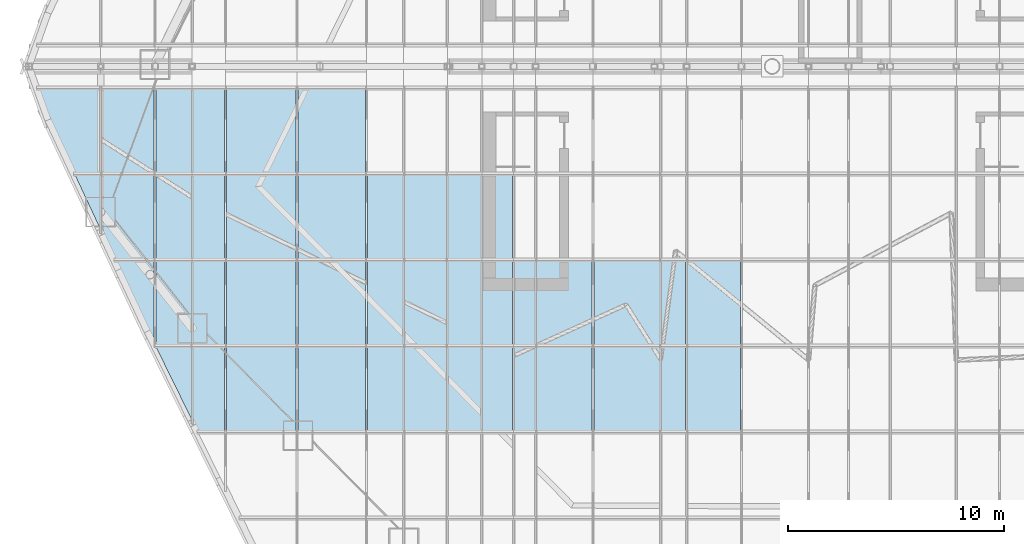
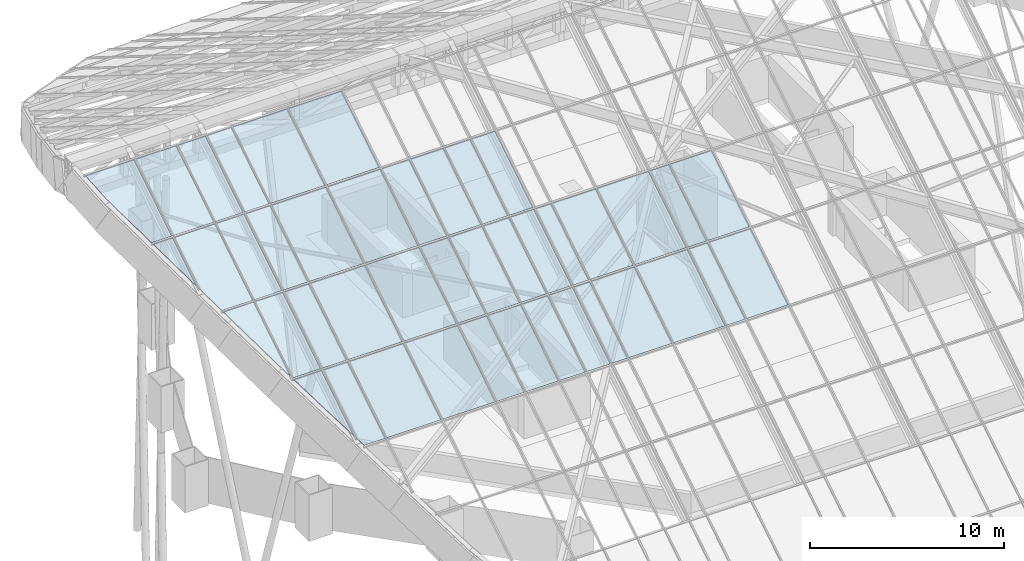
# One storey, part 27 of 38: 43 plates, 43 elements without a shape of their own.
"""IFC4 building model written with IfcOpenShell, lengths in metres."""

from ifc_helpers import new_model, si_unit, direction, frame, origin, place, context, subcontext, project, spatial, polyline, outline, extrude, material, layer, layer_set, type_object, element, aggregate, save


model = new_model("IFC4")

# Units and contexts
model_context = context("Model", 3, precision=1e-05, world=origin(), true_north=direction((0.0, 1.0)))
body_context = subcontext(model_context, "Body", "Model", "MODEL_VIEW")
ifc_project = project(units=[si_unit("LENGTHUNIT", "METRE"), si_unit("AREAUNIT", "SQUARE_METRE"), si_unit("VOLUMEUNIT", "CUBIC_METRE"), si_unit("PLANEANGLEUNIT", "RADIAN"), si_unit("MASSUNIT", "GRAM", prefix="KILO")], contexts=[model_context])

# Site, building, storey
site_placement = place(None, origin())
site = spatial("IfcSite", under=ifc_project, at=site_placement, CompositionType="ELEMENT")
building_placement = place(site_placement, origin())
building = spatial("IfcBuilding", under=site, at=building_placement, Name="Dongbaek Canopy Tower", CompositionType="ELEMENT")
storey_placement = place(building_placement, frame((0.0, 0.0, 375.800048828125)))
storey = spatial("IfcBuildingStorey", under=building, at=storey_placement, Name="Roof", CompositionType="ELEMENT", Elevation=375.800048828125)

# Curtain wall, plate
ifc_material_1 = material(Name="Aluminium 6063-T6 pale anodised", Category="aluminium")
ifc_layer_1 = layer(ifc_material_1, 0.199951171875)
ifc_layer_set_1 = layer_set([ifc_layer_1], Name="CW-6 canopy glazing curtain wall")
curtain_wall_type = type_object("IfcCurtainWallType", Name="CW-6 canopy glazing curtain wall", PredefinedType="NOTDEFINED", material=ifc_layer_set_1)
curtain_wall_1_placement = place(storey_placement, origin())
curtain_wall_1 = element("IfcCurtainWall", 1, at=curtain_wall_1_placement, inside=storey, type_object=curtain_wall_type, Name="CW-6 canopy glazing south 1.1", PredefinedType="NOTDEFINED")
ifc_material_2 = material(Name="Clear laminated glass", Category="glass")
ifc_layer_2 = layer(ifc_material_2, 0.0400390625)
ifc_layer_set_2 = layer_set([ifc_layer_2], Name="CW-6 glazed panel 40")
plate_type = type_object("IfcPlateType", Name="CW-6 glazed panel 40", PredefinedType="CURTAIN_PANEL", material=ifc_layer_set_2)
plate_1_placement = place(storey_placement, frame((-34.04638671875, -1.04296875, 18.095458984375), z_axis=(2.9550135e-05, -0.529899096889, 0.848060697263), x_axis=(0.999999999563, 1.565859e-05, -2.5060308e-05)))
plate_1 = element("IfcPlate", 2, at=plate_1_placement, type_object=plate_type, Name="CW-6 panel S1.1", PredefinedType="CURTAIN_PANEL", context=body_context, shape_type="SweptSolid", body=[
    extrude(outline(polyline([(0.0, 0.0), (2.87426757687008, 0.0), (2.8742675783404246, -4.598931257850206), (1.6838378913601726, -4.598931257850206), (0.4584960904008457, -1.5127484623807252), (0.0, 0.0)])), origin(), (0.0, 0.0, -1.0), 0.0400390625),
])
aggregate(curtain_wall_1, [plate_1])

curtain_wall_2_placement = place(storey_placement, origin())
curtain_wall_2 = element("IfcCurtainWall", 3, at=curtain_wall_2_placement, inside=storey, type_object=curtain_wall_type, Name="CW-6 canopy glazing south 1.2", PredefinedType="NOTDEFINED")
plate_2_placement = place(storey_placement, frame((-31.172119140625, -7.486328125, 14.0693359375), z_axis=(0.0, -0.529877740036, 0.848074041941), x_axis=(-0.368975254296, 0.788233275151, 0.492489152837)))
plate_2 = element("IfcPlate", 4, at=plate_2_placement, type_object=plate_type, Name="CW-6 panel S1.2", PredefinedType="CURTAIN_PANEL", context=body_context, shape_type="SweptSolid", body=[
    extrude(outline(polyline([(0.0, 0.0), (3.117137181920423, 1.1102230246251565e-16), (2.6927615903703614, -1.0689912501123229), (0.0, 0.0)])), origin(), (0.0, 0.0, -1.0), 0.0400390625),
])
aggregate(curtain_wall_2, [plate_2])

curtain_wall_3_placement = place(storey_placement, origin())
curtain_wall_3 = element("IfcCurtainWall", 5, at=curtain_wall_3_placement, inside=storey, type_object=curtain_wall_type, Name="CW-6 canopy glazing south 2.1", PredefinedType="NOTDEFINED")
plate_3_placement = place(storey_placement, frame((-31.0859375, -1.04296875, 18.095458984375), z_axis=(0.0, -0.52990827259, 0.848054964398), x_axis=(1.0, 0.0, 0.0)))
plate_3 = element("IfcPlate", 6, at=plate_3_placement, type_object=plate_type, Name="CW-6 panel S2.1", PredefinedType="CURTAIN_PANEL", context=body_context, shape_type="SweptSolid", body=[
    extrude(outline(polyline([(0.0, 0.0), (2.426025390625, 0.0), (2.426025390625, -4.59893125811938), (0.0, -4.59893125811938), (0.0, 0.0)])), origin(), (0.0, 0.0, -1.0), 0.0400390625),
])
aggregate(curtain_wall_3, [plate_3])

curtain_wall_4_placement = place(storey_placement, origin())
curtain_wall_4 = element("IfcCurtainWall", 7, at=curtain_wall_4_placement, inside=storey, type_object=curtain_wall_type, Name="CW-6 canopy glazing south 2.2", PredefinedType="NOTDEFINED")
plate_4_placement = place(storey_placement, frame((-31.0859375, -7.669921875, 13.95458984375), z_axis=(1.7409958e-05, -0.529906379633, 0.848056147033), x_axis=(4.15e-10, 0.848056147162, 0.529906379713)))
plate_4 = element("IfcPlate", 8, at=plate_4_placement, type_object=plate_type, Name="CW-6 panel S2.2", PredefinedType="CURTAIN_PANEL", context=body_context, shape_type="SweptSolid", body=[
    extrude(outline(polyline([(0.0, 0.0), (3.113692041456533, 3.3881317890172014e-21), (3.113692042463174, -2.426025390257328), (-1.48523921564475, -2.426025392344293), (-1.4852392164067458, -0.5895996113726096), (0.0, 0.0)])), origin(), (0.0, 0.0, -1.0), 0.0400390625),
])
aggregate(curtain_wall_4, [plate_4])

curtain_wall_5_placement = place(storey_placement, origin())
curtain_wall_5 = element("IfcCurtainWall", 9, at=curtain_wall_5_placement, inside=storey, type_object=curtain_wall_type, Name="CW-6 canopy glazing south 2.3", PredefinedType="NOTDEFINED")
plate_5_placement = place(storey_placement, frame((-30.3330078125, -9.2783203125, 12.949462890625), z_axis=(1.0459358e-05, -0.529917031975, 0.848049490957), x_axis=(-0.368869742799, 0.788243928152, 0.492551137019)))
plate_5 = element("IfcPlate", 10, at=plate_5_placement, type_object=plate_type, Name="CW-6 panel S2.3", PredefinedType="CURTAIN_PANEL", context=body_context, shape_type="SweptSolid", body=[
    extrude(outline(polyline([(0.0, 0.0), (0.33357811919050784, 2.7755575615628914e-17), (-0.3289645316323332, -1.6694805768385665), (-4.494716224599852, -0.016278852143255085), (-3.6208346247025074, -0.0011335194230892576), (0.0, 0.0)])), origin(), (0.0, 0.0, -1.0), 0.0400390625),
])
aggregate(curtain_wall_5, [plate_5])

curtain_wall_6_placement = place(storey_placement, origin())
curtain_wall_6 = element("IfcCurtainWall", 11, at=curtain_wall_6_placement, inside=storey, type_object=curtain_wall_type, Name="CW-6 canopy glazing south 3.1", PredefinedType="NOTDEFINED")
plate_6_placement = place(storey_placement, frame((-28.573974609375, -1.04296875, 18.095458984375), z_axis=(0.0, -0.52990827259, 0.848054964398), x_axis=(1.0, 0.0, 0.0)))
plate_6 = element("IfcPlate", 12, at=plate_6_placement, type_object=plate_type, Name="CW-6 panel S3.1", PredefinedType="CURTAIN_PANEL", context=body_context, shape_type="SweptSolid", body=[
    extrude(outline(polyline([(0.0, 0.0), (1.64208984375, 0.0), (1.64208984375, -4.59893125811938), (0.0, -4.59893125811938), (0.0, 0.0)])), origin(), (0.0, 0.0, -1.0), 0.0400390625),
])
aggregate(curtain_wall_6, [plate_6])

curtain_wall_7_placement = place(storey_placement, origin())
curtain_wall_7 = element("IfcCurtainWall", 13, at=curtain_wall_7_placement, inside=storey, type_object=curtain_wall_type, Name="CW-6 canopy glazing south 3.2", PredefinedType="NOTDEFINED")
plate_7_placement = place(storey_placement, frame((-28.573974609375, -5.029296875, 15.6044921875), z_axis=(0.0, -0.52990827259, 0.848054964398), x_axis=(1.0, 0.0, 0.0)))
plate_7 = element("IfcPlate", 14, at=plate_7_placement, type_object=plate_type, Name="CW-6 panel S3.2", PredefinedType="CURTAIN_PANEL", context=body_context, shape_type="SweptSolid", body=[
    extrude(outline(polyline([(0.0, 0.0), (1.64208984375, 0.0), (1.64208984375, -4.59893125811938), (0.0, -4.59893125811938), (0.0, 0.0)])), origin(), (0.0, 0.0, -1.0), 0.0400390625),
])
aggregate(curtain_wall_7, [plate_7])

curtain_wall_8_placement = place(storey_placement, origin())
curtain_wall_8 = element("IfcCurtainWall", 15, at=curtain_wall_8_placement, inside=storey, type_object=curtain_wall_type, Name="CW-6 canopy glazing south 3.3", PredefinedType="NOTDEFINED")
plate_8_placement = place(storey_placement, frame((-28.573974609375, -9.015380859375, 13.11376953125), z_axis=(0.0, -0.529946450558, 0.848031107649), x_axis=(1.0, 0.0, 0.0)))
plate_8 = element("IfcPlate", 16, at=plate_8_placement, type_object=plate_type, Name="CW-6 panel S3.3", PredefinedType="CURTAIN_PANEL", context=body_context, shape_type="SweptSolid", body=[
    extrude(outline(polyline([(0.0, 0.0), (1.64208984375, 0.0), (1.64208984375, -4.599060634916705), (0.0, -4.599060634916705), (0.0, 0.0)])), origin(), (0.0, 0.0, -1.0), 0.0400390625),
])
aggregate(curtain_wall_8, [plate_8])

curtain_wall_9_placement = place(storey_placement, origin())
curtain_wall_9 = element("IfcCurtainWall", 17, at=curtain_wall_9_placement, inside=storey, type_object=curtain_wall_type, Name="CW-6 canopy glazing south 3.4", PredefinedType="NOTDEFINED")
plate_9_placement = place(storey_placement, frame((-28.56884765625, -13.001708984375, 10.622802734375), z_axis=(0.0, -0.529931816238, 0.848040252664), x_axis=(1.0, 0.0, 0.0)))
plate_9 = element("IfcPlate", 18, at=plate_9_placement, type_object=plate_type, Name="CW-6 panel S3.4", PredefinedType="CURTAIN_PANEL", context=body_context, shape_type="SweptSolid", body=[
    extrude(outline(polyline([(0.0, 0.0), (1.636962890625, 0.0), (1.636962890625, -3.9233378687475584), (0.0, 0.0)])), origin(), (0.0, 0.0, -1.0), 0.0400390625),
])
aggregate(curtain_wall_9, [plate_9])

curtain_wall_10_placement = place(storey_placement, origin())
curtain_wall_10 = element("IfcCurtainWall", 19, at=curtain_wall_10_placement, inside=storey, type_object=curtain_wall_type, Name="CW-6 canopy glazing south 4.1", PredefinedType="NOTDEFINED")
plate_10_placement = place(storey_placement, frame((-26.845947265625, -1.04296875, 18.095458984375), z_axis=(0.0, -0.52990827259, 0.848054964398), x_axis=(1.0, 0.0, 0.0)))
plate_10 = element("IfcPlate", 20, at=plate_10_placement, type_object=plate_type, Name="CW-6 panel S4.1", PredefinedType="CURTAIN_PANEL", context=body_context, shape_type="SweptSolid", body=[
    extrude(outline(polyline([(0.0, 0.0), (1.4560546875, 0.0), (1.4560546875, -4.59893125811938), (0.0, -4.59893125811938), (0.0, 0.0)])), origin(), (0.0, 0.0, -1.0), 0.0400390625),
])
aggregate(curtain_wall_10, [plate_10])

curtain_wall_11_placement = place(storey_placement, origin())
curtain_wall_11 = element("IfcCurtainWall", 21, at=curtain_wall_11_placement, inside=storey, type_object=curtain_wall_type, Name="CW-6 canopy glazing south 4.2", PredefinedType="NOTDEFINED")
plate_11_placement = place(storey_placement, frame((-26.845947265625, -5.029296875, 15.6044921875), z_axis=(0.0, -0.52990827259, 0.848054964398), x_axis=(1.0, 0.0, 0.0)))
plate_11 = element("IfcPlate", 22, at=plate_11_placement, type_object=plate_type, Name="CW-6 panel S4.2", PredefinedType="CURTAIN_PANEL", context=body_context, shape_type="SweptSolid", body=[
    extrude(outline(polyline([(0.0, 0.0), (1.4560546875, 0.0), (1.4560546875, -4.59893125811938), (0.0, -4.59893125811938), (0.0, 0.0)])), origin(), (0.0, 0.0, -1.0), 0.0400390625),
])
aggregate(curtain_wall_11, [plate_11])

curtain_wall_12_placement = place(storey_placement, origin())
curtain_wall_12 = element("IfcCurtainWall", 23, at=curtain_wall_12_placement, inside=storey, type_object=curtain_wall_type, Name="CW-6 canopy glazing south 4.3", PredefinedType="NOTDEFINED")
plate_12_placement = place(storey_placement, frame((-26.845947265625, -9.015380859375, 13.11376953125), z_axis=(0.0, -0.529946450558, 0.848031107649), x_axis=(1.0, 0.0, 0.0)))
plate_12 = element("IfcPlate", 24, at=plate_12_placement, type_object=plate_type, Name="CW-6 panel S4.3", PredefinedType="CURTAIN_PANEL", context=body_context, shape_type="SweptSolid", body=[
    extrude(outline(polyline([(0.0, 0.0), (1.4560546875, 0.0), (1.4560546875, -4.599060634916705), (0.0, -4.599060634916705), (0.0, 0.0)])), origin(), (0.0, 0.0, -1.0), 0.0400390625),
])
aggregate(curtain_wall_12, [plate_12])

curtain_wall_13_placement = place(storey_placement, origin())
curtain_wall_13 = element("IfcCurtainWall", 25, at=curtain_wall_13_placement, inside=storey, type_object=curtain_wall_type, Name="CW-6 canopy glazing south 4.4", PredefinedType="NOTDEFINED")
plate_13_placement = place(storey_placement, frame((-26.845947265625, -13.001708984375, 10.622802734375), z_axis=(-9.486976e-06, -0.529908615105, 0.848054750325), x_axis=(0.999999999955, -5.027231e-06, 8.045475e-06)))
plate_13 = element("IfcPlate", 26, at=plate_13_placement, type_object=plate_type, Name="CW-6 panel S4.4", PredefinedType="CURTAIN_PANEL", context=body_context, shape_type="SweptSolid", body=[
    extrude(outline(polyline([(0.0, 0.0), (1.4560546874344755, 0.0), (1.456054687452098, -4.598931258119005), (0.1958007812588113, -4.598931258119005), (-2.444751662328509e-10, -4.129411195458515), (0.0, 0.0)])), origin(), (0.0, 0.0, -1.0), 0.0400390625),
])
aggregate(curtain_wall_13, [plate_13])

curtain_wall_14_placement = place(storey_placement, origin())
curtain_wall_14 = element("IfcCurtainWall", 27, at=curtain_wall_14_placement, inside=storey, type_object=curtain_wall_type, Name="CW-6 canopy glazing south 5.1", PredefinedType="NOTDEFINED")
plate_14_placement = place(storey_placement, frame((-25.303955078125, -1.04296875, 18.095458984375), z_axis=(0.0, -0.52990827259, 0.848054964398), x_axis=(1.0, 0.0, 0.0)))
plate_14 = element("IfcPlate", 28, at=plate_14_placement, type_object=plate_type, Name="CW-6 panel S5.1", PredefinedType="CURTAIN_PANEL", context=body_context, shape_type="SweptSolid", body=[
    extrude(outline(polyline([(0.0, 0.0), (3.22998046875, 0.0), (3.22998046875, -4.59893125811938), (0.0, -4.59893125811938), (0.0, 0.0)])), origin(), (0.0, 0.0, -1.0), 0.0400390625),
])
aggregate(curtain_wall_14, [plate_14])

curtain_wall_15_placement = place(storey_placement, origin())
curtain_wall_15 = element("IfcCurtainWall", 29, at=curtain_wall_15_placement, inside=storey, type_object=curtain_wall_type, Name="CW-6 canopy glazing south 5.2", PredefinedType="NOTDEFINED")
plate_15_placement = place(storey_placement, frame((-25.303955078125, -5.029296875, 15.6044921875), z_axis=(0.0, -0.52990827259, 0.848054964398), x_axis=(1.0, 0.0, 0.0)))
plate_15 = element("IfcPlate", 30, at=plate_15_placement, type_object=plate_type, Name="CW-6 panel S5.2", PredefinedType="CURTAIN_PANEL", context=body_context, shape_type="SweptSolid", body=[
    extrude(outline(polyline([(0.0, 0.0), (3.22998046875, 0.0), (3.22998046875, -4.59893125811938), (0.0, -4.59893125811938), (0.0, 0.0)])), origin(), (0.0, 0.0, -1.0), 0.0400390625),
])
aggregate(curtain_wall_15, [plate_15])

curtain_wall_16_placement = place(storey_placement, origin())
curtain_wall_16 = element("IfcCurtainWall", 31, at=curtain_wall_16_placement, inside=storey, type_object=curtain_wall_type, Name="CW-6 canopy glazing south 5.3", PredefinedType="NOTDEFINED")
plate_16_placement = place(storey_placement, frame((-25.303955078125, -9.015380859375, 13.11376953125), z_axis=(0.0, -0.529946450558, 0.848031107649), x_axis=(1.0, 0.0, 0.0)))
plate_16 = element("IfcPlate", 32, at=plate_16_placement, type_object=plate_type, Name="CW-6 panel S5.3", PredefinedType="CURTAIN_PANEL", context=body_context, shape_type="SweptSolid", body=[
    extrude(outline(polyline([(0.0, 0.0), (3.22998046875, 0.0), (3.22998046875, -4.599060634916705), (0.0, -4.599060634916705), (0.0, 0.0)])), origin(), (0.0, 0.0, -1.0), 0.0400390625),
])
aggregate(curtain_wall_16, [plate_16])

curtain_wall_17_placement = place(storey_placement, origin())
curtain_wall_17 = element("IfcCurtainWall", 33, at=curtain_wall_17_placement, inside=storey, type_object=curtain_wall_type, Name="CW-6 canopy glazing south 5.4", PredefinedType="NOTDEFINED")
plate_17_placement = place(storey_placement, frame((-25.303955078125, -13.001708984375, 10.622802734375), z_axis=(0.0, -0.52990827259, 0.848054964398), x_axis=(1.0, 0.0, 0.0)))
plate_17 = element("IfcPlate", 34, at=plate_17_placement, type_object=plate_type, Name="CW-6 panel S5.4", PredefinedType="CURTAIN_PANEL", context=body_context, shape_type="SweptSolid", body=[
    extrude(outline(polyline([(0.0, 0.0), (3.22998046875, 0.0), (3.22998046875, -4.59893125811938), (0.0, -4.59893125811938), (0.0, 0.0)])), origin(), (0.0, 0.0, -1.0), 0.0400390625),
])
aggregate(curtain_wall_17, [plate_17])

curtain_wall_18_placement = place(storey_placement, origin())
curtain_wall_18 = element("IfcCurtainWall", 35, at=curtain_wall_18_placement, inside=storey, type_object=curtain_wall_type, Name="CW-6 canopy glazing south 6.1", PredefinedType="NOTDEFINED")
plate_18_placement = place(storey_placement, frame((-21.988037109375, -1.04296875, 18.095458984375), z_axis=(0.0, -0.52990827259, 0.848054964398), x_axis=(1.0, 0.0, 0.0)))
plate_18 = element("IfcPlate", 36, at=plate_18_placement, type_object=plate_type, Name="CW-6 panel S6.1", PredefinedType="CURTAIN_PANEL", context=body_context, shape_type="SweptSolid", body=[
    extrude(outline(polyline([(0.0, 0.0), (3.138916015625, 0.0), (3.138916015625, -4.59893125811938), (0.0, -4.59893125811938), (0.0, 0.0)])), origin(), (0.0, 0.0, -1.0), 0.0400390625),
])
aggregate(curtain_wall_18, [plate_18])

curtain_wall_19_placement = place(storey_placement, origin())
curtain_wall_19 = element("IfcCurtainWall", 37, at=curtain_wall_19_placement, inside=storey, type_object=curtain_wall_type, Name="CW-6 canopy glazing south 6.2", PredefinedType="NOTDEFINED")
plate_19_placement = place(storey_placement, frame((-21.988037109375, -5.029296875, 15.6044921875), z_axis=(0.0, -0.52990827259, 0.848054964398), x_axis=(1.0, 0.0, 0.0)))
plate_19 = element("IfcPlate", 38, at=plate_19_placement, type_object=plate_type, Name="CW-6 panel S6.2", PredefinedType="CURTAIN_PANEL", context=body_context, shape_type="SweptSolid", body=[
    extrude(outline(polyline([(0.0, 0.0), (3.138916015625, 0.0), (3.138916015625, -4.59893125811938), (0.0, -4.59893125811938), (0.0, 0.0)])), origin(), (0.0, 0.0, -1.0), 0.0400390625),
])
aggregate(curtain_wall_19, [plate_19])

curtain_wall_20_placement = place(storey_placement, origin())
curtain_wall_20 = element("IfcCurtainWall", 39, at=curtain_wall_20_placement, inside=storey, type_object=curtain_wall_type, Name="CW-6 canopy glazing south 6.3", PredefinedType="NOTDEFINED")
plate_20_placement = place(storey_placement, frame((-21.988037109375, -9.015380859375, 13.11376953125), z_axis=(0.0, -0.529946450558, 0.848031107649), x_axis=(1.0, 0.0, 0.0)))
plate_20 = element("IfcPlate", 40, at=plate_20_placement, type_object=plate_type, Name="CW-6 panel S6.3", PredefinedType="CURTAIN_PANEL", context=body_context, shape_type="SweptSolid", body=[
    extrude(outline(polyline([(0.0, 0.0), (3.138916015625, 0.0), (3.138916015625, -4.599060634916705), (0.0, -4.599060634916705), (0.0, 0.0)])), origin(), (0.0, 0.0, -1.0), 0.0400390625),
])
aggregate(curtain_wall_20, [plate_20])

curtain_wall_21_placement = place(storey_placement, origin())
curtain_wall_21 = element("IfcCurtainWall", 41, at=curtain_wall_21_placement, inside=storey, type_object=curtain_wall_type, Name="CW-6 canopy glazing south 6.4", PredefinedType="NOTDEFINED")
plate_21_placement = place(storey_placement, frame((-21.988037109375, -13.001708984375, 10.622802734375), z_axis=(0.0, -0.52990827259, 0.848054964398), x_axis=(1.0, 0.0, 0.0)))
plate_21 = element("IfcPlate", 42, at=plate_21_placement, type_object=plate_type, Name="CW-6 panel S6.4", PredefinedType="CURTAIN_PANEL", context=body_context, shape_type="SweptSolid", body=[
    extrude(outline(polyline([(0.0, 0.0), (3.138916015625, 0.0), (3.138916015625, -4.59893125811938), (0.0, -4.59893125811938), (0.0, 0.0)])), origin(), (0.0, 0.0, -1.0), 0.0400390625),
])
aggregate(curtain_wall_21, [plate_21])

curtain_wall_22_placement = place(storey_placement, origin())
curtain_wall_22 = element("IfcCurtainWall", 43, at=curtain_wall_22_placement, inside=storey, type_object=curtain_wall_type, Name="CW-6 canopy glazing south 7.2", PredefinedType="NOTDEFINED")
plate_22_placement = place(storey_placement, frame((-18.762939453125, -5.029296875, 15.6044921875), z_axis=(0.0, -0.52990827259, 0.848054964398), x_axis=(1.0, 0.0, 0.0)))
plate_22 = element("IfcPlate", 44, at=plate_22_placement, type_object=plate_type, Name="CW-6 panel S7.2", PredefinedType="CURTAIN_PANEL", context=body_context, shape_type="SweptSolid", body=[
    extrude(outline(polyline([(0.0, 0.0), (1.635986328125, 0.0), (1.635986328125, -4.59893125811938), (0.0, -4.59893125811938), (0.0, 0.0)])), origin(), (0.0, 0.0, -1.0), 0.0400390625),
])
aggregate(curtain_wall_22, [plate_22])

curtain_wall_23_placement = place(storey_placement, origin())
curtain_wall_23 = element("IfcCurtainWall", 45, at=curtain_wall_23_placement, inside=storey, type_object=curtain_wall_type, Name="CW-6 canopy glazing south 7.3", PredefinedType="NOTDEFINED")
plate_23_placement = place(storey_placement, frame((-18.762939453125, -9.015380859375, 13.11376953125), z_axis=(0.0, -0.529946450558, 0.848031107649), x_axis=(1.0, 0.0, 0.0)))
plate_23 = element("IfcPlate", 46, at=plate_23_placement, type_object=plate_type, Name="CW-6 panel S7.3", PredefinedType="CURTAIN_PANEL", context=body_context, shape_type="SweptSolid", body=[
    extrude(outline(polyline([(0.0, 0.0), (1.635986328125, 0.0), (1.635986328125, -4.599060634916705), (0.0, -4.599060634916705), (0.0, 0.0)])), origin(), (0.0, 0.0, -1.0), 0.0400390625),
])
aggregate(curtain_wall_23, [plate_23])

curtain_wall_24_placement = place(storey_placement, origin())
curtain_wall_24 = element("IfcCurtainWall", 47, at=curtain_wall_24_placement, inside=storey, type_object=curtain_wall_type, Name="CW-6 canopy glazing south 7.4", PredefinedType="NOTDEFINED")
plate_24_placement = place(storey_placement, frame((-18.762939453125, -13.001708984375, 10.622802734375), z_axis=(0.0, -0.52990827259, 0.848054964398), x_axis=(1.0, 0.0, 0.0)))
plate_24 = element("IfcPlate", 48, at=plate_24_placement, type_object=plate_type, Name="CW-6 panel S7.4", PredefinedType="CURTAIN_PANEL", context=body_context, shape_type="SweptSolid", body=[
    extrude(outline(polyline([(0.0, 0.0), (1.635986328125, 0.0), (1.635986328125, -4.59893125811938), (0.0, -4.59893125811938), (0.0, 0.0)])), origin(), (0.0, 0.0, -1.0), 0.0400390625),
])
aggregate(curtain_wall_24, [plate_24])

curtain_wall_25_placement = place(storey_placement, origin())
curtain_wall_25 = element("IfcCurtainWall", 49, at=curtain_wall_25_placement, inside=storey, type_object=curtain_wall_type, Name="CW-6 canopy glazing south 8.2", PredefinedType="NOTDEFINED")
plate_25_placement = place(storey_placement, frame((-17.041015625, -5.029296875, 15.6044921875), z_axis=(0.0, -0.52990827259, 0.848054964398), x_axis=(1.0, 0.0, 0.0)))
plate_25 = element("IfcPlate", 50, at=plate_25_placement, type_object=plate_type, Name="CW-6 panel S8.2", PredefinedType="CURTAIN_PANEL", context=body_context, shape_type="SweptSolid", body=[
    extrude(outline(polyline([(0.0, 0.0), (1.93603515625, 0.0), (1.93603515625, -4.59893125811938), (0.0, -4.59893125811938), (0.0, 0.0)])), origin(), (0.0, 0.0, -1.0), 0.0400390625),
])
aggregate(curtain_wall_25, [plate_25])

curtain_wall_26_placement = place(storey_placement, origin())
curtain_wall_26 = element("IfcCurtainWall", 51, at=curtain_wall_26_placement, inside=storey, type_object=curtain_wall_type, Name="CW-6 canopy glazing south 8.3", PredefinedType="NOTDEFINED")
plate_26_placement = place(storey_placement, frame((-17.041015625, -9.015380859375, 13.11376953125), z_axis=(0.0, -0.529946450558, 0.848031107649), x_axis=(1.0, 0.0, 0.0)))
plate_26 = element("IfcPlate", 52, at=plate_26_placement, type_object=plate_type, Name="CW-6 panel S8.3", PredefinedType="CURTAIN_PANEL", context=body_context, shape_type="SweptSolid", body=[
    extrude(outline(polyline([(0.0, 0.0), (1.93603515625, 0.0), (1.93603515625, -4.599060634916705), (0.0, -4.599060634916705), (0.0, 0.0)])), origin(), (0.0, 0.0, -1.0), 0.0400390625),
])
aggregate(curtain_wall_26, [plate_26])

curtain_wall_27_placement = place(storey_placement, origin())
curtain_wall_27 = element("IfcCurtainWall", 53, at=curtain_wall_27_placement, inside=storey, type_object=curtain_wall_type, Name="CW-6 canopy glazing south 8.4", PredefinedType="NOTDEFINED")
plate_27_placement = place(storey_placement, frame((-17.041015625, -13.001708984375, 10.622802734375), z_axis=(0.0, -0.52990827259, 0.848054964398), x_axis=(1.0, 0.0, 0.0)))
plate_27 = element("IfcPlate", 54, at=plate_27_placement, type_object=plate_type, Name="CW-6 panel S8.4", PredefinedType="CURTAIN_PANEL", context=body_context, shape_type="SweptSolid", body=[
    extrude(outline(polyline([(0.0, 0.0), (1.93603515625, 0.0), (1.93603515625, -4.59893125811938), (0.0, -4.59893125811938), (0.0, 0.0)])), origin(), (0.0, 0.0, -1.0), 0.0400390625),
])
aggregate(curtain_wall_27, [plate_27])

curtain_wall_28_placement = place(storey_placement, origin())
curtain_wall_28 = element("IfcCurtainWall", 55, at=curtain_wall_28_placement, inside=storey, type_object=curtain_wall_type, Name="CW-6 canopy glazing south 9.2", PredefinedType="NOTDEFINED")
plate_28_placement = place(storey_placement, frame((-15.01904296875, -5.029296875, 15.6044921875), z_axis=(0.0, -0.52990827259, 0.848054964398), x_axis=(1.0, 0.0, 0.0)))
plate_28 = element("IfcPlate", 56, at=plate_28_placement, type_object=plate_type, Name="CW-6 panel S9.2", PredefinedType="CURTAIN_PANEL", context=body_context, shape_type="SweptSolid", body=[
    extrude(outline(polyline([(0.0, 0.0), (1.51123046875, 0.0), (1.51123046875, -4.59893125811938), (0.0, -4.59893125811938), (0.0, 0.0)])), origin(), (0.0, 0.0, -1.0), 0.0400390625),
])
aggregate(curtain_wall_28, [plate_28])

curtain_wall_29_placement = place(storey_placement, origin())
curtain_wall_29 = element("IfcCurtainWall", 57, at=curtain_wall_29_placement, inside=storey, type_object=curtain_wall_type, Name="CW-6 canopy glazing south 9.3", PredefinedType="NOTDEFINED")
plate_29_placement = place(storey_placement, frame((-15.01904296875, -9.015380859375, 13.11376953125), z_axis=(0.0, -0.529946450558, 0.848031107649), x_axis=(1.0, 0.0, 0.0)))
plate_29 = element("IfcPlate", 58, at=plate_29_placement, type_object=plate_type, Name="CW-6 panel S9.3", PredefinedType="CURTAIN_PANEL", context=body_context, shape_type="SweptSolid", body=[
    extrude(outline(polyline([(0.0, 0.0), (1.51123046875, 0.0), (1.51123046875, -4.599060634916705), (0.0, -4.599060634916705), (0.0, 0.0)])), origin(), (0.0, 0.0, -1.0), 0.0400390625),
])
aggregate(curtain_wall_29, [plate_29])

curtain_wall_30_placement = place(storey_placement, origin())
curtain_wall_30 = element("IfcCurtainWall", 59, at=curtain_wall_30_placement, inside=storey, type_object=curtain_wall_type, Name="CW-6 canopy glazing south 9.4", PredefinedType="NOTDEFINED")
plate_30_placement = place(storey_placement, frame((-15.01904296875, -13.001708984375, 10.622802734375), z_axis=(0.0, -0.52990827259, 0.848054964398), x_axis=(1.0, 0.0, 0.0)))
plate_30 = element("IfcPlate", 60, at=plate_30_placement, type_object=plate_type, Name="CW-6 panel S9.4", PredefinedType="CURTAIN_PANEL", context=body_context, shape_type="SweptSolid", body=[
    extrude(outline(polyline([(0.0, 0.0), (1.51123046875, 0.0), (1.51123046875, -4.59893125811938), (0.0, -4.59893125811938), (0.0, 0.0)])), origin(), (0.0, 0.0, -1.0), 0.0400390625),
])
aggregate(curtain_wall_30, [plate_30])

curtain_wall_31_placement = place(storey_placement, origin())
curtain_wall_31 = element("IfcCurtainWall", 61, at=curtain_wall_31_placement, inside=storey, type_object=curtain_wall_type, Name="CW-6 canopy glazing south 10.2", PredefinedType="NOTDEFINED")
plate_31_placement = place(storey_placement, frame((-13.421630859375, -5.029296875, 15.6044921875), z_axis=(0.0, -0.52990827259, 0.848054964398), x_axis=(1.0, 0.0, 0.0)))
plate_31 = element("IfcPlate", 62, at=plate_31_placement, type_object=plate_type, Name="CW-6 panel S10.2", PredefinedType="CURTAIN_PANEL", context=body_context, shape_type="SweptSolid", body=[
    extrude(outline(polyline([(0.0, 0.0), (1.3935546875, 0.0), (1.3935546875, -4.59893125811938), (0.0, -4.59893125811938), (0.0, 0.0)])), origin(), (0.0, 0.0, -1.0), 0.0400390625),
])
aggregate(curtain_wall_31, [plate_31])

curtain_wall_32_placement = place(storey_placement, origin())
curtain_wall_32 = element("IfcCurtainWall", 63, at=curtain_wall_32_placement, inside=storey, type_object=curtain_wall_type, Name="CW-6 canopy glazing south 10.3", PredefinedType="NOTDEFINED")
plate_32_placement = place(storey_placement, frame((-13.421630859375, -9.015380859375, 13.11376953125), z_axis=(0.0, -0.529946450558, 0.848031107649), x_axis=(1.0, 0.0, 0.0)))
plate_32 = element("IfcPlate", 64, at=plate_32_placement, type_object=plate_type, Name="CW-6 panel S10.3", PredefinedType="CURTAIN_PANEL", context=body_context, shape_type="SweptSolid", body=[
    extrude(outline(polyline([(0.0, 0.0), (1.3935546875, 0.0), (1.3935546875, -4.599060634916705), (0.0, -4.599060634916705), (0.0, 0.0)])), origin(), (0.0, 0.0, -1.0), 0.0400390625),
])
aggregate(curtain_wall_32, [plate_32])

curtain_wall_33_placement = place(storey_placement, origin())
curtain_wall_33 = element("IfcCurtainWall", 65, at=curtain_wall_33_placement, inside=storey, type_object=curtain_wall_type, Name="CW-6 canopy glazing south 10.4", PredefinedType="NOTDEFINED")
plate_33_placement = place(storey_placement, frame((-13.421630859375, -13.001708984375, 10.622802734375), z_axis=(0.0, -0.52990827259, 0.848054964398), x_axis=(1.0, 0.0, 0.0)))
plate_33 = element("IfcPlate", 66, at=plate_33_placement, type_object=plate_type, Name="CW-6 panel S10.4", PredefinedType="CURTAIN_PANEL", context=body_context, shape_type="SweptSolid", body=[
    extrude(outline(polyline([(0.0, 0.0), (1.3935546875, 0.0), (1.3935546875, -4.59893125811938), (0.0, -4.59893125811938), (0.0, 0.0)])), origin(), (0.0, 0.0, -1.0), 0.0400390625),
])
aggregate(curtain_wall_33, [plate_33])

curtain_wall_34_placement = place(storey_placement, origin())
curtain_wall_34 = element("IfcCurtainWall", 67, at=curtain_wall_34_placement, inside=storey, type_object=curtain_wall_type, Name="CW-6 canopy glazing south 11.3", PredefinedType="NOTDEFINED")
plate_34_placement = place(storey_placement, frame((-11.94189453125, -9.015380859375, 13.11376953125), z_axis=(0.0, -0.529946450558, 0.848031107649), x_axis=(1.0, 0.0, 0.0)))
plate_34 = element("IfcPlate", 68, at=plate_34_placement, type_object=plate_type, Name="CW-6 panel S11.3", PredefinedType="CURTAIN_PANEL", context=body_context, shape_type="SweptSolid", body=[
    extrude(outline(polyline([(0.0, 0.0), (0.93408203125, 0.0), (0.93408203125, -4.599060634916705), (0.0, -4.599060634916705), (0.0, 0.0)])), origin(), (0.0, 0.0, -1.0), 0.0400390625),
])
aggregate(curtain_wall_34, [plate_34])

curtain_wall_35_placement = place(storey_placement, origin())
curtain_wall_35 = element("IfcCurtainWall", 69, at=curtain_wall_35_placement, inside=storey, type_object=curtain_wall_type, Name="CW-6 canopy glazing south 11.4", PredefinedType="NOTDEFINED")
plate_35_placement = place(storey_placement, frame((-11.94189453125, -13.001708984375, 10.622802734375), z_axis=(0.0, -0.52990827259, 0.848054964398), x_axis=(1.0, 0.0, 0.0)))
plate_35 = element("IfcPlate", 70, at=plate_35_placement, type_object=plate_type, Name="CW-6 panel S11.4", PredefinedType="CURTAIN_PANEL", context=body_context, shape_type="SweptSolid", body=[
    extrude(outline(polyline([(0.0, 0.0), (0.93408203125, 0.0), (0.93408203125, -4.5989312581193795), (0.0, -4.5989312581193795), (0.0, 0.0)])), origin(), (0.0, 0.0, -1.0), 0.0400390625),
])
aggregate(curtain_wall_35, [plate_35])

curtain_wall_36_placement = place(storey_placement, origin())
curtain_wall_36 = element("IfcCurtainWall", 71, at=curtain_wall_36_placement, inside=storey, type_object=curtain_wall_type, Name="CW-6 canopy glazing south 12.3", PredefinedType="NOTDEFINED")
plate_36_placement = place(storey_placement, frame((-10.921630859375, -9.015380859375, 13.11376953125), z_axis=(0.0, -0.529946450558, 0.848031107649), x_axis=(1.0, 0.0, 0.0)))
plate_36 = element("IfcPlate", 72, at=plate_36_placement, type_object=plate_type, Name="CW-6 panel S12.3", PredefinedType="CURTAIN_PANEL", context=body_context, shape_type="SweptSolid", body=[
    extrude(outline(polyline([(0.0, 0.0), (2.569580078125, 0.0), (2.569580078125, -4.599060634916705), (0.0, -4.599060634916705), (0.0, 0.0)])), origin(), (0.0, 0.0, -1.0), 0.0400390625),
])
aggregate(curtain_wall_36, [plate_36])

curtain_wall_37_placement = place(storey_placement, origin())
curtain_wall_37 = element("IfcCurtainWall", 73, at=curtain_wall_37_placement, inside=storey, type_object=curtain_wall_type, Name="CW-6 canopy glazing south 12.4", PredefinedType="NOTDEFINED")
plate_37_placement = place(storey_placement, frame((-10.921630859375, -13.001708984375, 10.622802734375), z_axis=(0.0, -0.52990827259, 0.848054964398), x_axis=(1.0, 0.0, 0.0)))
plate_37 = element("IfcPlate", 74, at=plate_37_placement, type_object=plate_type, Name="CW-6 panel S12.4", PredefinedType="CURTAIN_PANEL", context=body_context, shape_type="SweptSolid", body=[
    extrude(outline(polyline([(0.0, 0.0), (2.569580078125, 0.0), (2.569580078125, -4.5989312581193795), (0.0, -4.5989312581193795), (0.0, 0.0)])), origin(), (0.0, 0.0, -1.0), 0.0400390625),
])
aggregate(curtain_wall_37, [plate_37])

curtain_wall_38_placement = place(storey_placement, origin())
curtain_wall_38 = element("IfcCurtainWall", 75, at=curtain_wall_38_placement, inside=storey, type_object=curtain_wall_type, Name="CW-6 canopy glazing south 13.3", PredefinedType="NOTDEFINED")
plate_38_placement = place(storey_placement, frame((-5.208984375, -12.91552734375, 10.676513671875), z_axis=(0.0, -0.529946450558, 0.848031107649), x_axis=(-1.0, 0.0, 0.0)))
plate_38 = element("IfcPlate", 76, at=plate_38_placement, type_object=plate_type, Name="CW-6 panel S13.3", PredefinedType="CURTAIN_PANEL", context=body_context, shape_type="SweptSolid", body=[
    extrude(outline(polyline([(0.0, 0.0), (3.05712890625, 0.0), (3.05712890625, -4.599060634916706), (0.0, -4.599060634916706), (0.0, 0.0)])), origin(), (0.0, 0.0, -1.0), 0.0400390625),
])
aggregate(curtain_wall_38, [plate_38])

curtain_wall_39_placement = place(storey_placement, origin())
curtain_wall_39 = element("IfcCurtainWall", 77, at=curtain_wall_39_placement, inside=storey, type_object=curtain_wall_type, Name="CW-6 canopy glazing south 13.4", PredefinedType="NOTDEFINED")
plate_39_placement = place(storey_placement, frame((-5.208984375, -16.90185546875, 8.185791015625), z_axis=(0.0, -0.52990827259, 0.848054964398), x_axis=(-1.0, 0.0, 0.0)))
plate_39 = element("IfcPlate", 78, at=plate_39_placement, type_object=plate_type, Name="CW-6 panel S13.4", PredefinedType="CURTAIN_PANEL", context=body_context, shape_type="SweptSolid", body=[
    extrude(outline(polyline([(0.0, 0.0), (3.05712890625, 0.0), (3.05712890625, -4.59893125811938), (0.0, -4.59893125811938), (0.0, 0.0)])), origin(), (0.0, 0.0, -1.0), 0.0400390625),
])
aggregate(curtain_wall_39, [plate_39])

curtain_wall_40_placement = place(storey_placement, origin())
curtain_wall_40 = element("IfcCurtainWall", 79, at=curtain_wall_40_placement, inside=storey, type_object=curtain_wall_type, Name="CW-6 canopy glazing south 14.3", PredefinedType="NOTDEFINED")
plate_40_placement = place(storey_placement, frame((-4.0078125, -12.91552734375, 10.676513671875), z_axis=(0.0, -0.529946450558, 0.848031107649), x_axis=(-1.0, 0.0, 0.0)))
plate_40 = element("IfcPlate", 80, at=plate_40_placement, type_object=plate_type, Name="CW-6 panel S14.3", PredefinedType="CURTAIN_PANEL", context=body_context, shape_type="SweptSolid", body=[
    extrude(outline(polyline([(0.0, 0.0), (1.115234375, 0.0), (1.115234375, -4.599060634916705), (0.0, -4.599060634916705), (0.0, 0.0)])), origin(), (0.0, 0.0, -1.0), 0.0400390625),
])
aggregate(curtain_wall_40, [plate_40])

curtain_wall_41_placement = place(storey_placement, origin())
curtain_wall_41 = element("IfcCurtainWall", 81, at=curtain_wall_41_placement, inside=storey, type_object=curtain_wall_type, Name="CW-6 canopy glazing south 14.4", PredefinedType="NOTDEFINED")
plate_41_placement = place(storey_placement, frame((-4.0078125, -16.90185546875, 8.185791015625), z_axis=(0.0, -0.52990827259, 0.848054964398), x_axis=(-1.0, 0.0, 0.0)))
plate_41 = element("IfcPlate", 82, at=plate_41_placement, type_object=plate_type, Name="CW-6 panel S14.4", PredefinedType="CURTAIN_PANEL", context=body_context, shape_type="SweptSolid", body=[
    extrude(outline(polyline([(0.0, 0.0), (1.115234375, 0.0), (1.115234375, -4.5989312581193795), (0.0, -4.5989312581193795), (0.0, 0.0)])), origin(), (0.0, 0.0, -1.0), 0.0400390625),
])
aggregate(curtain_wall_41, [plate_41])

curtain_wall_42_placement = place(storey_placement, origin())
curtain_wall_42 = element("IfcCurtainWall", 83, at=curtain_wall_42_placement, inside=storey, type_object=curtain_wall_type, Name="CW-6 canopy glazing south 15.3", PredefinedType="NOTDEFINED")
plate_42_placement = place(storey_placement, frame((-1.4609375, -12.91552734375, 10.676513671875), z_axis=(0.0, -0.529946450558, 0.848031107649), x_axis=(-1.0, 0.0, 0.0)))
plate_42 = element("IfcPlate", 84, at=plate_42_placement, type_object=plate_type, Name="CW-6 panel S15.3", PredefinedType="CURTAIN_PANEL", context=body_context, shape_type="SweptSolid", body=[
    extrude(outline(polyline([(0.0, 0.0), (2.460693359375, 0.0), (2.460693359375, -4.599060634916705), (0.0, -4.599060634916705), (0.0, 0.0)])), origin(), (0.0, 0.0, -1.0), 0.0400390625),
])
aggregate(curtain_wall_42, [plate_42])

curtain_wall_43_placement = place(storey_placement, origin())
curtain_wall_43 = element("IfcCurtainWall", 85, at=curtain_wall_43_placement, inside=storey, type_object=curtain_wall_type, Name="CW-6 canopy glazing south 15.4", PredefinedType="NOTDEFINED")
plate_43_placement = place(storey_placement, frame((-1.4609375, -16.90185546875, 8.185791015625), z_axis=(0.0, -0.52990827259, 0.848054964398), x_axis=(-1.0, 0.0, 0.0)))
plate_43 = element("IfcPlate", 86, at=plate_43_placement, type_object=plate_type, Name="CW-6 panel S15.4", PredefinedType="CURTAIN_PANEL", context=body_context, shape_type="SweptSolid", body=[
    extrude(outline(polyline([(0.0, 0.0), (2.460693359375, 0.0), (2.460693359375, -4.59893125811938), (0.0, -4.59893125811938), (0.0, 0.0)])), origin(), (0.0, 0.0, -1.0), 0.0400390625),
])
aggregate(curtain_wall_43, [plate_43])

save(model, "model.ifc")
